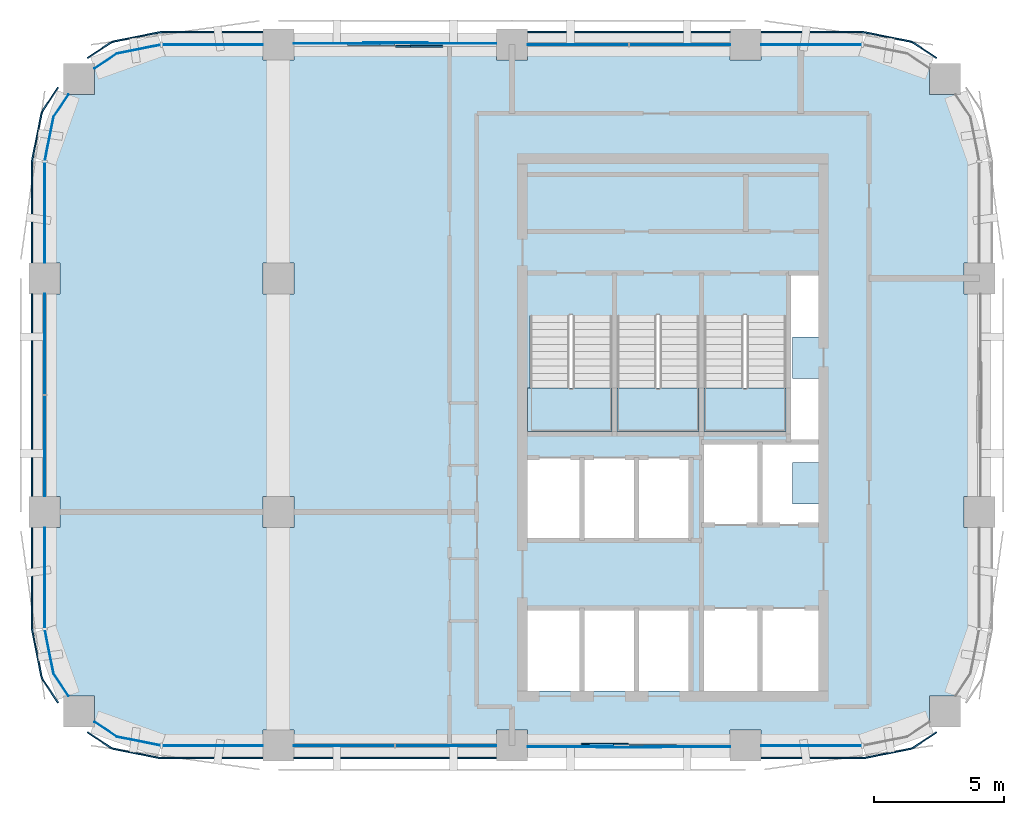
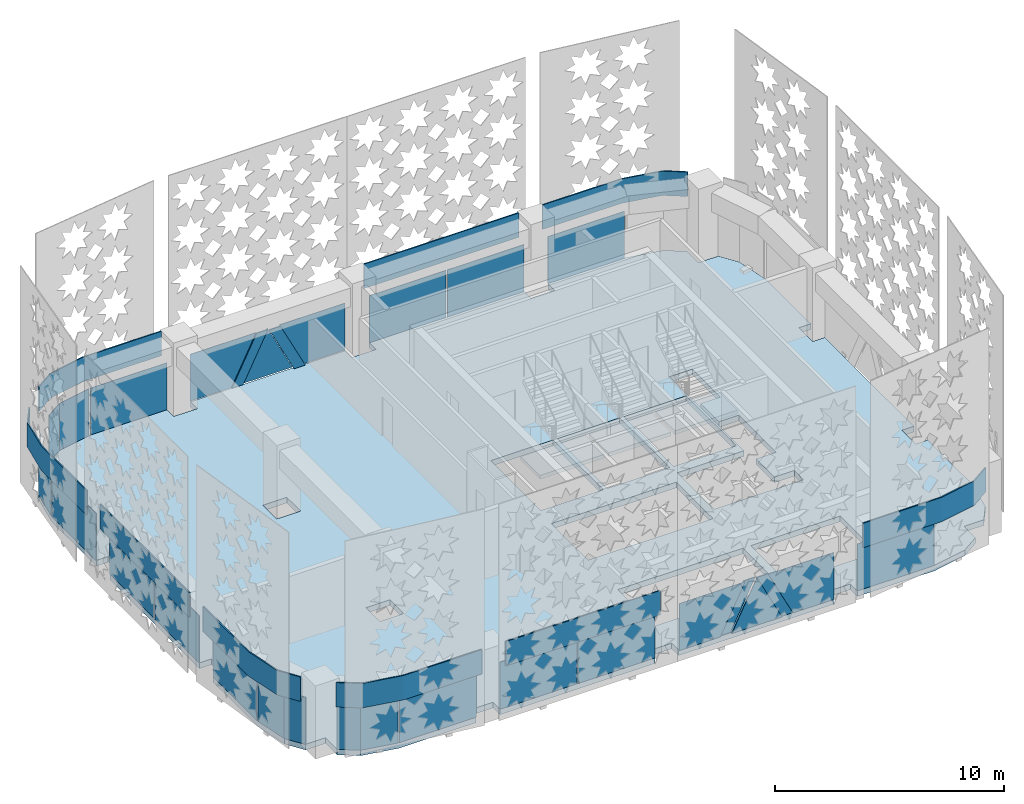
# One storey, part 5 of 14: 35 plates, 4 slabs, 14 elements without a shape of their own.
"""IFC4 building model written with IfcOpenShell, lengths in metres."""

from ifc_helpers import new_model, si_unit, direction, frame, origin, origin_2d, place, context, subcontext, project, spatial, polyline, rectangle, outline, extrude, material, layer, layer_set, type_object, element, aggregate, save


model = new_model("IFC4")

# Units and contexts
model_context = context("Model", 3, precision=1e-05, world=origin(), true_north=direction((0.0, 1.0)))
body_context = subcontext(model_context, "Body", "Model", "MODEL_VIEW")
ifc_project = project(units=[si_unit("LENGTHUNIT", "METRE"), si_unit("AREAUNIT", "SQUARE_METRE"), si_unit("VOLUMEUNIT", "CUBIC_METRE"), si_unit("PLANEANGLEUNIT", "RADIAN"), si_unit("MASSUNIT", "GRAM", prefix="KILO")], contexts=[model_context])

# Site, building, storey
site_placement = place(None, origin())
site = spatial("IfcSite", under=ifc_project, at=site_placement, CompositionType="ELEMENT")
building_placement = place(site_placement, origin())
building = spatial("IfcBuilding", under=site, at=building_placement, Name="Tessera Arch", CompositionType="ELEMENT")
storey_placement = place(building_placement, frame((0.0, 0.0, 269.60009765625)))
storey = spatial("IfcBuildingStorey", under=building, at=storey_placement, Name="L65", CompositionType="ELEMENT", Elevation=269.60009765625)

# Curtain wall, plates
ifc_material_1 = material(Name="CW1 curtain wall")
curtain_wall_type_1 = type_object("IfcCurtainWallType", Name="CW1 curtain wall", PredefinedType="NOTDEFINED", material=ifc_material_1)
curtain_wall_1_placement = place(storey_placement, origin())
curtain_wall_1 = element("IfcCurtainWall", 1, at=curtain_wall_1_placement, inside=storey, type_object=curtain_wall_type_1, Name="CW1 curtain wall N54.18/1 L65", PredefinedType="NOTDEFINED")
ifc_material_2 = material(Name="Clear low-e glass", Category="glass")
ifc_material_3 = material(Name="Clear low-e glass", Category="glass")
ifc_layer_1 = layer(ifc_material_3, 0.028076171875)
ifc_layer_set_1 = layer_set([ifc_layer_1], Name="CW1 glass panel")
plate_type_1 = type_object("IfcPlateType", Name="CW1 glass panel", PredefinedType="CURTAIN_PANEL", material=ifc_layer_set_1)
plate_1_placement = place(storey_placement, frame((42.465087890625, 54.0, 0.0), z_axis=(0.0, 0.0, 1.0), x_axis=(-1.0, 0.0, 0.0)))
plate_1 = element("IfcPlate", 2, at=plate_1_placement, type_object=plate_type_1, material=ifc_material_2, Name="CW1 glass panel N54.18/1 1.1.1", PredefinedType="CURTAIN_PANEL", context=body_context, shape_type="SweptSolid", body=[
    extrude(rectangle(XDim=3.8701171875, YDim=0.028076171875, at=origin_2d()), origin(), (0.0, 0.0, 1.0), 2.5),
])
plate_2_placement = place(storey_placement, frame((38.534912109375, 54.0, 0.0), z_axis=(0.0, 0.0, 1.0), x_axis=(-1.0, 0.0, 0.0)))
plate_2 = element("IfcPlate", 3, at=plate_2_placement, type_object=plate_type_1, material=ifc_material_2, Name="CW1 glass panel N54.18/1 1.2.1", PredefinedType="CURTAIN_PANEL", context=body_context, shape_type="SweptSolid", body=[
    extrude(rectangle(XDim=3.8701171875, YDim=0.028076171875, at=origin_2d()), origin(), (0.0, 0.0, 1.0), 2.5),
])

curtain_wall_2_placement = place(storey_placement, origin())
curtain_wall_2 = element("IfcCurtainWall", 4, at=curtain_wall_2_placement, inside=storey, type_object=curtain_wall_type_1, Name="CW1 curtain wall W18.27/1 L65", PredefinedType="NOTDEFINED")
plate_3_placement = place(storey_placement, frame((18.0, 42.465087890625, 0.0), z_axis=(0.0, 0.0, 1.0), x_axis=(0.0, -1.0, 0.0)))
plate_3 = element("IfcPlate", 5, at=plate_3_placement, type_object=plate_type_1, material=ifc_material_2, Name="CW1 glass panel W18.27/1 1.1.1", PredefinedType="CURTAIN_PANEL", context=body_context, shape_type="SweptSolid", body=[
    extrude(rectangle(XDim=3.8701171875, YDim=0.028076171875, at=origin_2d()), origin(), (0.0, 0.0, 1.0), 2.5),
])
plate_4_placement = place(storey_placement, frame((18.0, 38.534912109375, 0.0), z_axis=(0.0, 0.0, 1.0), x_axis=(0.0, -1.0, 0.0)))
plate_4 = element("IfcPlate", 6, at=plate_4_placement, type_object=plate_type_1, material=ifc_material_2, Name="CW1 glass panel W18.27/1 1.2.1", PredefinedType="CURTAIN_PANEL", context=body_context, shape_type="SweptSolid", body=[
    extrude(rectangle(XDim=3.8701171875, YDim=0.028076171875, at=origin_2d()), origin(), (0.0, 0.0, 1.0), 2.5),
])

curtain_wall_3_placement = place(storey_placement, origin())
curtain_wall_3 = element("IfcCurtainWall", 7, at=curtain_wall_3_placement, inside=storey, type_object=curtain_wall_type_1, Name="CW1 curtain wall S27.18/1 L65", PredefinedType="NOTDEFINED")
plate_5_placement = place(storey_placement, frame((29.534912109375, 27.0, 0.0), z_axis=(0.0, 0.0, 1.0), x_axis=(1.0, 0.0, 0.0)))
plate_5 = element("IfcPlate", 8, at=plate_5_placement, type_object=plate_type_1, material=ifc_material_2, Name="CW1 glass panel S27.18/1 1.1.1", PredefinedType="CURTAIN_PANEL", context=body_context, shape_type="SweptSolid", body=[
    extrude(rectangle(XDim=3.8701171875, YDim=0.028076171875, at=origin_2d()), origin(), (0.0, 0.0, 1.0), 2.5),
])
plate_6_placement = place(storey_placement, frame((33.465087890625, 27.0, 0.0), z_axis=(0.0, 0.0, 1.0), x_axis=(1.0, 0.0, 0.0)))
plate_6 = element("IfcPlate", 9, at=plate_6_placement, type_object=plate_type_1, material=ifc_material_2, Name="CW1 glass panel S27.18/1 1.2.1", PredefinedType="CURTAIN_PANEL", context=body_context, shape_type="SweptSolid", body=[
    extrude(rectangle(XDim=3.8701171875, YDim=0.028076171875, at=origin_2d()), origin(), (0.0, 0.0, 1.0), 2.5),
])

# Plate
ifc_material_4 = material(Name="Pale anodised aluminium panel", Category="aluminium")
ifc_layer_2 = layer(ifc_material_4, 0.06005859375)
ifc_layer_set_2 = layer_set([ifc_layer_2], Name="CW1 spandrel panel")
plate_type_2 = type_object("IfcPlateType", Name="CW1 spandrel panel", PredefinedType="CURTAIN_PANEL", material=ifc_layer_set_2)
plate_7_placement = place(storey_placement, frame((40.5, 54.47998046875, 2.60009765625), z_axis=(0.0, 0.0, 1.0), x_axis=(-1.0, 0.0, 0.0)))
plate_7 = element("IfcPlate", 10, at=plate_7_placement, type_object=plate_type_2, Name="CW1 spandrel panel N54.18/1", PredefinedType="CURTAIN_PANEL", context=body_context, shape_type="SweptSolid", body=[
    extrude(rectangle(XDim=7.800048828125, YDim=0.06005859375, at=origin_2d()), origin(), (0.0, 0.0, 1.0), 1.300048828125),
])

aggregate(curtain_wall_1, [plate_1, plate_2, plate_7])

plate_8_placement = place(storey_placement, frame((17.52001953125, 40.5, 2.60009765625), z_axis=(0.0, 0.0, 1.0), x_axis=(0.0, -1.0, 0.0)))
plate_8 = element("IfcPlate", 11, at=plate_8_placement, type_object=plate_type_2, Name="CW1 spandrel panel W18.27/1", PredefinedType="CURTAIN_PANEL", context=body_context, shape_type="SweptSolid", body=[
    extrude(rectangle(XDim=7.800048828125, YDim=0.06005859375, at=origin_2d()), origin(), (0.0, 0.0, 1.0), 1.300048828125),
])

aggregate(curtain_wall_2, [plate_3, plate_4, plate_8])

plate_9_placement = place(storey_placement, frame((31.5, 26.52001953125, 2.60009765625), z_axis=(0.0, 0.0, 1.0), x_axis=(1.0, 0.0, 0.0)))
plate_9 = element("IfcPlate", 12, at=plate_9_placement, type_object=plate_type_2, Name="CW1 spandrel panel S27.18/1", PredefinedType="CURTAIN_PANEL", context=body_context, shape_type="SweptSolid", body=[
    extrude(rectangle(XDim=7.800048828125, YDim=0.06005859375, at=origin_2d()), origin(), (0.0, 0.0, 1.0), 1.300048828125),
])

aggregate(curtain_wall_3, [plate_5, plate_6, plate_9])

# Curtain wall, plate
ifc_material_5 = material(Name="CW2 curtain wall")
curtain_wall_type_2 = type_object("IfcCurtainWallType", Name="CW2 curtain wall", PredefinedType="NOTDEFINED", material=ifc_material_5)
curtain_wall_4_placement = place(storey_placement, origin())
curtain_wall_4 = element("IfcCurtainWall", 13, at=curtain_wall_4_placement, inside=storey, type_object=curtain_wall_type_2, Name="CW2 curtain wall N54.18/0 L65", PredefinedType="NOTDEFINED")
ifc_material_6 = material(Name="Clear low-e glass", Category="glass")
ifc_layer_3 = layer(ifc_material_6, 0.028076171875)
ifc_layer_set_3 = layer_set([ifc_layer_3], Name="CW2 glass panel")
plate_type_3 = type_object("IfcPlateType", Name="CW2 glass panel", PredefinedType="CURTAIN_PANEL", material=ifc_layer_set_3)
plate_10_placement = place(storey_placement, frame((47.530029296875, 54.0, 0.0), z_axis=(0.0, 0.0, 1.0), x_axis=(-1.0, 0.0, 0.0)))
plate_10 = element("IfcPlate", 14, at=plate_10_placement, type_object=plate_type_3, material=ifc_material_2, Name="CW2 glass panel N54.18/0 1.1", PredefinedType="CURTAIN_PANEL", context=body_context, shape_type="SweptSolid", body=[
    extrude(rectangle(XDim=3.860107421875, YDim=0.028076171875, at=origin_2d()), origin(), (0.0, 0.0, 1.0), 2.5),
])

# Curtain wall, plates
curtain_wall_5_placement = place(storey_placement, origin())
curtain_wall_5 = element("IfcCurtainWall", 15, at=curtain_wall_5_placement, inside=storey, type_object=curtain_wall_type_2, Name="CW2 curtain wall N54.18/3 L65", PredefinedType="NOTDEFINED")
plate_11_placement = place(storey_placement, frame((24.469970703125, 54.0, 0.0), z_axis=(0.0, 0.0, 1.0), x_axis=(-1.0, 0.0, 0.0)))
plate_11 = element("IfcPlate", 16, at=plate_11_placement, type_object=plate_type_3, material=ifc_material_2, Name="CW2 glass panel N54.18/3 1.1", PredefinedType="CURTAIN_PANEL", context=body_context, shape_type="SweptSolid", body=[
    extrude(rectangle(XDim=3.860107421875, YDim=0.028076171875, at=origin_2d()), origin(), (0.0, 0.0, 1.0), 2.5),
])
plate_12_placement = place(storey_placement, origin())
plate_12 = element("IfcPlate", 17, at=plate_12_placement, type_object=plate_type_3, material=ifc_material_2, Name="CW2 curved glass panel N54.18/3 2.1", PredefinedType="CURTAIN_PANEL", context=body_context, shape_type="SweptSolid", body=[
    extrude(outline(polyline([(20.783447265625, 53.644287109375), (22.46337890625, 53.978515625), (22.4580078125, 54.005859375), (20.7724609375, 53.670654296875), (19.91015625, 53.094482421875), (19.92578125, 53.0712890625), (20.783447265625, 53.644287109375)])), origin(), (0.0, 0.0, 1.0), 2.5),
])

curtain_wall_6_placement = place(storey_placement, origin())
curtain_wall_6 = element("IfcCurtainWall", 18, at=curtain_wall_6_placement, inside=storey, type_object=curtain_wall_type_2, Name="CW2 curtain wall W18.27/0 L65", PredefinedType="NOTDEFINED")
plate_13_placement = place(storey_placement, frame((18.0, 47.530029296875, 0.0), z_axis=(0.0, 0.0, 1.0), x_axis=(0.0, -1.0, 0.0)))
plate_13 = element("IfcPlate", 19, at=plate_13_placement, type_object=plate_type_3, material=ifc_material_2, Name="CW2 glass panel W18.27/0 1.1", PredefinedType="CURTAIN_PANEL", context=body_context, shape_type="SweptSolid", body=[
    extrude(rectangle(XDim=3.860107421875, YDim=0.028076171875, at=origin_2d()), origin(), (0.0, 0.0, 1.0), 2.5),
])
plate_14_placement = place(storey_placement, origin())
plate_14 = element("IfcPlate", 20, at=plate_14_placement, type_object=plate_type_3, material=ifc_material_2, Name="CW2 curved glass panel W18.27/0 2.1", PredefinedType="CURTAIN_PANEL", context=body_context, shape_type="SweptSolid", body=[
    extrude(outline(polyline([(18.355712890625, 51.216552734375), (18.9287109375, 52.07421875), (18.905517578125, 52.08984375), (18.329345703125, 51.2275390625), (17.994140625, 49.5419921875), (18.021484375, 49.53662109375), (18.355712890625, 51.216552734375)])), origin(), (0.0, 0.0, 1.0), 2.5),
])

curtain_wall_7_placement = place(storey_placement, origin())
curtain_wall_7 = element("IfcCurtainWall", 21, at=curtain_wall_7_placement, inside=storey, type_object=curtain_wall_type_2, Name="CW2 curtain wall W18.27/2 L65", PredefinedType="NOTDEFINED")
plate_15_placement = place(storey_placement, frame((18.0, 33.469970703125, 0.0), z_axis=(0.0, 0.0, 1.0), x_axis=(0.0, -1.0, 0.0)))
plate_15 = element("IfcPlate", 22, at=plate_15_placement, type_object=plate_type_3, material=ifc_material_2, Name="CW2 glass panel W18.27/2 1.1", PredefinedType="CURTAIN_PANEL", context=body_context, shape_type="SweptSolid", body=[
    extrude(rectangle(XDim=3.860107421875, YDim=0.028076171875, at=origin_2d()), origin(), (0.0, 0.0, 1.0), 2.5),
])
plate_16_placement = place(storey_placement, origin())
plate_16 = element("IfcPlate", 23, at=plate_16_placement, type_object=plate_type_3, material=ifc_material_2, Name="CW2 curved glass panel W18.27/2 2.1", PredefinedType="CURTAIN_PANEL", context=body_context, shape_type="SweptSolid", body=[
    extrude(outline(polyline([(18.355712890625, 29.783447265625), (18.021484375, 31.46337890625), (17.994140625, 31.4580078125), (18.329345703125, 29.7724609375), (18.905517578125, 28.91015625), (18.9287109375, 28.92578125), (18.355712890625, 29.783447265625)])), origin(), (0.0, 0.0, 1.0), 2.5),
])

curtain_wall_8_placement = place(storey_placement, origin())
curtain_wall_8 = element("IfcCurtainWall", 24, at=curtain_wall_8_placement, inside=storey, type_object=curtain_wall_type_2, Name="CW2 curtain wall S27.18/0 L65", PredefinedType="NOTDEFINED")
plate_17_placement = place(storey_placement, frame((24.469970703125, 27.0, 0.0), z_axis=(0.0, 0.0, 1.0), x_axis=(1.0, 0.0, 0.0)))
plate_17 = element("IfcPlate", 25, at=plate_17_placement, type_object=plate_type_3, material=ifc_material_2, Name="CW2 glass panel S27.18/0 1.1", PredefinedType="CURTAIN_PANEL", context=body_context, shape_type="SweptSolid", body=[
    extrude(rectangle(XDim=3.860107421875, YDim=0.028076171875, at=origin_2d()), origin(), (0.0, 0.0, 1.0), 2.5),
])
plate_18_placement = place(storey_placement, origin())
plate_18 = element("IfcPlate", 26, at=plate_18_placement, type_object=plate_type_3, material=ifc_material_2, Name="CW2 curved glass panel S27.18/0 2.1", PredefinedType="CURTAIN_PANEL", context=body_context, shape_type="SweptSolid", body=[
    extrude(outline(polyline([(20.783447265625, 27.355712890625), (19.92578125, 27.9287109375), (19.91015625, 27.905517578125), (20.7724609375, 27.329345703125), (22.4580078125, 26.994140625), (22.46337890625, 27.021484375), (20.783447265625, 27.355712890625)])), origin(), (0.0, 0.0, 1.0), 2.5),
])

# Curtain wall, plate
curtain_wall_9_placement = place(storey_placement, origin())
curtain_wall_9 = element("IfcCurtainWall", 27, at=curtain_wall_9_placement, inside=storey, type_object=curtain_wall_type_2, Name="CW2 curtain wall S27.18/3 L65", PredefinedType="NOTDEFINED")
plate_19_placement = place(storey_placement, frame((47.530029296875, 27.0, 0.0), z_axis=(0.0, 0.0, 1.0), x_axis=(1.0, 0.0, 0.0)))
plate_19 = element("IfcPlate", 28, at=plate_19_placement, type_object=plate_type_3, material=ifc_material_2, Name="CW2 glass panel S27.18/3 1.1", PredefinedType="CURTAIN_PANEL", context=body_context, shape_type="SweptSolid", body=[
    extrude(rectangle(XDim=3.860107421875, YDim=0.028076171875, at=origin_2d()), origin(), (0.0, 0.0, 1.0), 2.5),
])

# Plate
ifc_material_7 = material(Name="Pale anodised aluminium panel", Category="aluminium")
ifc_layer_4 = layer(ifc_material_7, 0.06005859375)
ifc_layer_set_4 = layer_set([ifc_layer_4], Name="CW2 spandrel panel")
plate_type_4 = type_object("IfcPlateType", Name="CW2 spandrel panel", PredefinedType="CURTAIN_PANEL", material=ifc_layer_set_4)
plate_20_placement = place(storey_placement, frame((0.0, 0.0, 2.599853515625)))
plate_20 = element("IfcPlate", 29, at=plate_20_placement, type_object=plate_type_4, Name="CW2 spandrel panel N54.18/0", PredefinedType="CURTAIN_PANEL", context=body_context, shape_type="SweptSolid", body=[
    extrude(outline(polyline([(51.47265625, 54.03125), (52.33203125, 53.45703125), (52.365234375, 53.5068359375), (51.5048828125, 54.08203125), (51.462646484375, 54.107421875), (51.417236328125, 54.128662109375), (51.3701171875, 54.1455078125), (51.322265625, 54.157470703125), (49.598876953125, 54.500244140625), (49.550048828125, 54.507568359375), (49.500732421875, 54.510009765625), (45.60009765625, 54.510009765625), (45.60009765625, 54.449951171875), (49.499267578125, 54.449951171875), (49.544189453125, 54.44775390625), (49.588623046875, 54.441162109375), (51.30908203125, 54.09912109375), (51.352783203125, 54.088134765625), (51.394287109375, 54.0732421875), (51.434326171875, 54.054443359375), (51.47265625, 54.03125)])), origin(), (0.0, 0.0, 1.0), 1.300048828125),
])

aggregate(curtain_wall_4, [plate_10, plate_20])

plate_21_placement = place(storey_placement, frame((0.0, 0.0, 2.599853515625)))
plate_21 = element("IfcPlate", 30, at=plate_21_placement, type_object=plate_type_4, Name="CW2 spandrel panel N54.18/3", PredefinedType="CURTAIN_PANEL", context=body_context, shape_type="SweptSolid", body=[
    extrude(outline(polyline([(22.500732421875, 54.449951171875), (26.39990234375, 54.449951171875), (26.39990234375, 54.510009765625), (22.499267578125, 54.510009765625), (22.449951171875, 54.507568359375), (22.401123046875, 54.500244140625), (20.677734375, 54.157470703125), (20.6298828125, 54.1455078125), (20.582763671875, 54.128662109375), (20.537353515625, 54.107421875), (20.4951171875, 54.08203125), (19.634765625, 53.5068359375), (19.66796875, 53.45703125), (20.52734375, 54.03125), (20.565673828125, 54.054443359375), (20.605712890625, 54.0732421875), (20.647216796875, 54.088134765625), (20.69091796875, 54.09912109375), (22.411376953125, 54.441162109375), (22.455810546875, 54.44775390625), (22.500732421875, 54.449951171875)])), origin(), (0.0, 0.0, 1.0), 1.300048828125),
])

aggregate(curtain_wall_5, [plate_11, plate_12, plate_21])

plate_22_placement = place(storey_placement, frame((0.0, 0.0, 2.599853515625)))
plate_22 = element("IfcPlate", 31, at=plate_22_placement, type_object=plate_type_4, Name="CW2 spandrel panel W18.27/0", PredefinedType="CURTAIN_PANEL", context=body_context, shape_type="SweptSolid", body=[
    extrude(outline(polyline([(17.96875, 51.47265625), (18.54296875, 52.33203125), (18.4931640625, 52.365234375), (17.91796875, 51.5048828125), (17.892578125, 51.462646484375), (17.871337890625, 51.417236328125), (17.8544921875, 51.3701171875), (17.842529296875, 51.322265625), (17.499755859375, 49.598876953125), (17.492431640625, 49.550048828125), (17.489990234375, 49.500732421875), (17.489990234375, 45.60009765625), (17.550048828125, 45.60009765625), (17.550048828125, 49.499267578125), (17.55224609375, 49.544189453125), (17.558837890625, 49.588623046875), (17.90087890625, 51.30908203125), (17.911865234375, 51.352783203125), (17.9267578125, 51.394287109375), (17.945556640625, 51.434326171875), (17.96875, 51.47265625)])), origin(), (0.0, 0.0, 1.0), 1.300048828125),
])

aggregate(curtain_wall_6, [plate_13, plate_14, plate_22])

plate_23_placement = place(storey_placement, frame((0.0, 0.0, 2.599853515625)))
plate_23 = element("IfcPlate", 32, at=plate_23_placement, type_object=plate_type_4, Name="CW2 spandrel panel W18.27/2", PredefinedType="CURTAIN_PANEL", context=body_context, shape_type="SweptSolid", body=[
    extrude(outline(polyline([(17.550048828125, 31.500732421875), (17.550048828125, 35.39990234375), (17.489990234375, 35.39990234375), (17.489990234375, 31.499267578125), (17.492431640625, 31.449951171875), (17.499755859375, 31.401123046875), (17.842529296875, 29.677734375), (17.8544921875, 29.6298828125), (17.871337890625, 29.582763671875), (17.892578125, 29.537353515625), (17.91796875, 29.4951171875), (18.4931640625, 28.634765625), (18.54296875, 28.66796875), (17.96875, 29.52734375), (17.945556640625, 29.565673828125), (17.9267578125, 29.605712890625), (17.911865234375, 29.647216796875), (17.90087890625, 29.69091796875), (17.558837890625, 31.411376953125), (17.55224609375, 31.455810546875), (17.550048828125, 31.500732421875)])), origin(), (0.0, 0.0, 1.0), 1.300048828125),
])

aggregate(curtain_wall_7, [plate_15, plate_16, plate_23])

plate_24_placement = place(storey_placement, frame((0.0, 0.0, 2.599853515625)))
plate_24 = element("IfcPlate", 33, at=plate_24_placement, type_object=plate_type_4, Name="CW2 spandrel panel S27.18/0", PredefinedType="CURTAIN_PANEL", context=body_context, shape_type="SweptSolid", body=[
    extrude(outline(polyline([(20.52734375, 26.96875), (19.66796875, 27.54296875), (19.634765625, 27.4931640625), (20.4951171875, 26.91796875), (20.537353515625, 26.892578125), (20.582763671875, 26.871337890625), (20.6298828125, 26.8544921875), (20.677734375, 26.842529296875), (22.401123046875, 26.499755859375), (22.449951171875, 26.492431640625), (22.499267578125, 26.489990234375), (26.39990234375, 26.489990234375), (26.39990234375, 26.550048828125), (22.500732421875, 26.550048828125), (22.455810546875, 26.55224609375), (22.411376953125, 26.558837890625), (20.69091796875, 26.90087890625), (20.647216796875, 26.911865234375), (20.605712890625, 26.9267578125), (20.565673828125, 26.945556640625), (20.52734375, 26.96875)])), origin(), (0.0, 0.0, 1.0), 1.300048828125),
])

aggregate(curtain_wall_8, [plate_17, plate_18, plate_24])

plate_25_placement = place(storey_placement, frame((0.0, 0.0, 2.599853515625)))
plate_25 = element("IfcPlate", 34, at=plate_25_placement, type_object=plate_type_4, Name="CW2 spandrel panel S27.18/3", PredefinedType="CURTAIN_PANEL", context=body_context, shape_type="SweptSolid", body=[
    extrude(outline(polyline([(49.499267578125, 26.550048828125), (45.60009765625, 26.550048828125), (45.60009765625, 26.489990234375), (49.500732421875, 26.489990234375), (49.550048828125, 26.492431640625), (49.598876953125, 26.499755859375), (51.322265625, 26.842529296875), (51.3701171875, 26.8544921875), (51.417236328125, 26.871337890625), (51.462646484375, 26.892578125), (51.5048828125, 26.91796875), (52.365234375, 27.4931640625), (52.33203125, 27.54296875), (51.47265625, 26.96875), (51.434326171875, 26.945556640625), (51.394287109375, 26.9267578125), (51.352783203125, 26.911865234375), (51.30908203125, 26.90087890625), (49.588623046875, 26.558837890625), (49.544189453125, 26.55224609375), (49.499267578125, 26.550048828125)])), origin(), (0.0, 0.0, 1.0), 1.300048828125),
])

aggregate(curtain_wall_9, [plate_19, plate_25])

# Curtain wall, plates
ifc_material_8 = material(Name="CW3 curtain wall")
curtain_wall_type_3 = type_object("IfcCurtainWallType", Name="CW3 curtain wall", PredefinedType="NOTDEFINED", material=ifc_material_8)
curtain_wall_10_placement = place(storey_placement, origin())
curtain_wall_10 = element("IfcCurtainWall", 35, at=curtain_wall_10_placement, inside=storey, type_object=curtain_wall_type_3, Name="CW3 curtain wall N54.18/2 L65", PredefinedType="NOTDEFINED")
ifc_material_9 = material(Name="Pale anodised aluminium panel", Category="aluminium")
ifc_layer_5 = layer(ifc_material_9, 0.06005859375)
ifc_layer_set_5 = layer_set([ifc_layer_5], Name="CW3 diagonal panel")
plate_type_5 = type_object("IfcPlateType", Name="CW3 diagonal panel", PredefinedType="CURTAIN_PANEL", material=ifc_layer_set_5)
plate_26_placement = place(storey_placement, frame((30.917724609375, 54.030029296875, 2.5), z_axis=(0.0, 1.0, 0.0), x_axis=(1.0, 0.0, 0.0)))
plate_26 = element("IfcPlate", 36, at=plate_26_placement, type_object=plate_type_5, Name="CW3 diagonal panel N54.18/2 1", PredefinedType="CURTAIN_PANEL", context=body_context, shape_type="SweptSolid", body=[
    extrude(outline(polyline([(0.0, 0.0), (0.564453125, 0.0), (-0.685546875, 2.5), (-1.25, 2.5), (0.0, 0.0)])), origin(), (0.0, 0.0, -1.0), 0.06005859375),
])
plate_27_placement = place(storey_placement, frame((31.517822265625, 53.969970703125, 2.5), z_axis=(0.0, 1.0, 0.0), x_axis=(1.0, 0.0, 0.0)))
plate_27 = element("IfcPlate", 37, at=plate_27_placement, type_object=plate_type_5, Name="CW3 diagonal panel N54.18/2 2", PredefinedType="CURTAIN_PANEL", context=body_context, shape_type="SweptSolid", body=[
    extrude(outline(polyline([(0.0, 0.0), (0.564453125, 0.0), (1.814453125, 2.5), (1.25, 2.5), (0.0, 0.0)])), origin(), (0.0, 0.0, -1.0), 0.06005859375),
])

curtain_wall_11_placement = place(storey_placement, origin())
curtain_wall_11 = element("IfcCurtainWall", 38, at=curtain_wall_11_placement, inside=storey, type_object=curtain_wall_type_3, Name="CW3 curtain wall S27.18/2 L65", PredefinedType="NOTDEFINED")
plate_28_placement = place(storey_placement, frame((41.082275390625, 26.969970703125, 2.5), z_axis=(0.0, -1.0, 0.0), x_axis=(-1.0, 0.0, 0.0)))
plate_28 = element("IfcPlate", 39, at=plate_28_placement, type_object=plate_type_5, Name="CW3 diagonal panel S27.18/2 1", PredefinedType="CURTAIN_PANEL", context=body_context, shape_type="SweptSolid", body=[
    extrude(outline(polyline([(0.0, 0.0), (0.564453125, 0.0), (-0.685546875, 2.5), (-1.25, 2.5), (0.0, 0.0)])), origin(), (0.0, 0.0, -1.0), 0.06005859375),
])
plate_29_placement = place(storey_placement, frame((40.482177734375, 27.030029296875, 2.5), z_axis=(0.0, -1.0, 0.0), x_axis=(-1.0, 0.0, 0.0)))
plate_29 = element("IfcPlate", 40, at=plate_29_placement, type_object=plate_type_5, Name="CW3 diagonal panel S27.18/2 2", PredefinedType="CURTAIN_PANEL", context=body_context, shape_type="SweptSolid", body=[
    extrude(outline(polyline([(0.0, 0.0), (0.564453125, 0.0), (1.814453125, 2.5), (1.25, 2.5), (0.0, 0.0)])), origin(), (0.0, 0.0, -1.0), 0.06005859375),
])

# Plate
ifc_material_10 = material(Name="Clear low-e glass", Category="glass")
ifc_layer_6 = layer(ifc_material_10, 0.028076171875)
ifc_layer_set_6 = layer_set([ifc_layer_6], Name="CW3 glass panel")
plate_type_6 = type_object("IfcPlateType", Name="CW3 glass panel", PredefinedType="CURTAIN_PANEL", material=ifc_layer_set_6)
plate_30_placement = place(storey_placement, frame((35.39990234375, 54.05810546875, 0.0), z_axis=(0.0, 1.0, 0.0), x_axis=(-1.0, 0.0, 0.0)))
plate_30 = element("IfcPlate", 41, at=plate_30_placement, type_object=plate_type_6, material=ifc_material_2, Name="CW3 triangulated glass panel N54.18/2 1", PredefinedType="CURTAIN_PANEL", context=body_context, shape_type="SweptSolid", body=[
    extrude(outline(polyline([(0.0, 0.0), (2.067626953125, 0.0), (3.317626953125, 2.5), (0.0, 2.5), (0.0, 0.0)])), origin(), (0.0, 0.0, -1.0), 0.028076171875),
])

plate_31_placement = place(storey_placement, frame((31.482177734375, 54.0859375, 2.5), z_axis=(0.0, 1.0, 0.0), x_axis=(1.0, 0.0, 0.0)))
plate_31 = element("IfcPlate", 42, at=plate_31_placement, type_object=plate_type_6, material=ifc_material_2, Name="CW3 triangulated glass panel N54.18/2 2", PredefinedType="CURTAIN_PANEL", context=body_context, shape_type="SweptSolid", body=[
    extrude(outline(polyline([(0.0, 0.0), (0.03564453125, 0.0), (1.28564453125, 2.5), (-1.25, 2.5), (0.0, 0.0)])), origin(), (0.0, 0.0, -1.0), 0.028076171875),
])

plate_32_placement = place(storey_placement, frame((27.60009765625, 54.05810546875, 2.5), z_axis=(0.0, 1.0, 0.0), x_axis=(1.0, 0.0, 0.0)))
plate_32 = element("IfcPlate", 43, at=plate_32_placement, type_object=plate_type_6, material=ifc_material_2, Name="CW3 triangulated glass panel N54.18/2 3", PredefinedType="CURTAIN_PANEL", context=body_context, shape_type="SweptSolid", body=[
    extrude(outline(polyline([(0.0, 0.0), (3.317626953125, 0.0), (2.067626953125, 2.5), (0.0, 2.5), (0.0, 0.0)])), origin(), (0.0, 0.0, -1.0), 0.028076171875),
])

aggregate(curtain_wall_10, [plate_30, plate_31, plate_32, plate_26, plate_27])

plate_33_placement = place(storey_placement, frame((36.60009765625, 26.94189453125, 0.0), z_axis=(0.0, -1.0, 0.0), x_axis=(1.0, 0.0, 0.0)))
plate_33 = element("IfcPlate", 44, at=plate_33_placement, type_object=plate_type_6, material=ifc_material_2, Name="CW3 triangulated glass panel S27.18/2 1", PredefinedType="CURTAIN_PANEL", context=body_context, shape_type="SweptSolid", body=[
    extrude(outline(polyline([(0.0, 0.0), (2.067626953125, 0.0), (3.317626953125, 2.5), (0.0, 2.5), (0.0, 0.0)])), origin(), (0.0, 0.0, -1.0), 0.028076171875),
])

plate_34_placement = place(storey_placement, frame((40.517822265625, 26.9140625, 2.5), z_axis=(0.0, -1.0, 0.0), x_axis=(-1.0, 0.0, 0.0)))
plate_34 = element("IfcPlate", 45, at=plate_34_placement, type_object=plate_type_6, material=ifc_material_2, Name="CW3 triangulated glass panel S27.18/2 2", PredefinedType="CURTAIN_PANEL", context=body_context, shape_type="SweptSolid", body=[
    extrude(outline(polyline([(0.0, 0.0), (0.03564453125, 0.0), (1.28564453125, 2.5), (-1.25, 2.5), (0.0, 0.0)])), origin(), (0.0, 0.0, -1.0), 0.028076171875),
])

plate_35_placement = place(storey_placement, frame((44.39990234375, 26.94189453125, 2.5), z_axis=(0.0, -1.0, 0.0), x_axis=(-1.0, 0.0, 0.0)))
plate_35 = element("IfcPlate", 46, at=plate_35_placement, type_object=plate_type_6, material=ifc_material_2, Name="CW3 triangulated glass panel S27.18/2 3", PredefinedType="CURTAIN_PANEL", context=body_context, shape_type="SweptSolid", body=[
    extrude(outline(polyline([(0.0, 0.0), (3.317626953125, 0.0), (2.067626953125, 2.5), (0.0, 2.5), (0.0, 0.0)])), origin(), (0.0, 0.0, -1.0), 0.028076171875),
])

aggregate(curtain_wall_11, [plate_33, plate_34, plate_35, plate_28, plate_29])

# Slab
ifc_material_11 = material(Name="Concrete C40/50", Category="concrete")
ifc_layer_7 = layer(ifc_material_11, 0.300048828125)
ifc_layer_set_7 = layer_set([ifc_layer_7], Name="Floor slab 300 Concrete C40/50")
slab_type_1 = type_object("IfcSlabType", Name="Floor slab 300 Concrete C40/50", PredefinedType="FLOOR", material=ifc_layer_set_7)
slab_1_placement = place(storey_placement, frame((0.0, 0.0, -0.300048828125)))
element("IfcSlab", 47, at=slab_1_placement, inside=storey, type_object=slab_type_1, Name="Floor slab L65 1", PredefinedType="FLOOR", context=body_context, shape_type="SweptSolid", body=[
    extrude(outline(polyline([(54.0, 31.5), (53.657470703125, 29.77783203125), (53.0830078125, 28.91796875), (52.08203125, 28.91796875), (52.08203125, 27.9169921875), (51.22216796875, 27.342529296875), (49.5, 27.0), (45.60009765625, 27.0), (45.60009765625, 27.60009765625), (44.39990234375, 27.60009765625), (44.39990234375, 27.0), (36.60009765625, 27.0), (36.60009765625, 27.60009765625), (35.39990234375, 27.60009765625), (35.39990234375, 27.0), (27.60009765625, 27.0), (27.60009765625, 27.60009765625), (26.39990234375, 27.60009765625), (26.39990234375, 27.0), (22.5, 27.0), (20.77783203125, 27.342529296875), (19.91796875, 27.9169921875), (19.91796875, 28.91796875), (18.9169921875, 28.91796875), (18.342529296875, 29.77783203125), (18.0, 31.5), (18.0, 35.39990234375), (18.60009765625, 35.39990234375), (18.60009765625, 36.60009765625), (18.0, 36.60009765625), (18.0, 44.39990234375), (18.60009765625, 44.39990234375), (18.60009765625, 45.60009765625), (18.0, 45.60009765625), (18.0, 49.5), (18.342529296875, 51.22216796875), (18.9169921875, 52.08203125), (19.91796875, 52.08203125), (19.91796875, 53.0830078125), (20.77783203125, 53.657470703125), (22.5, 54.0), (26.39990234375, 54.0), (26.39990234375, 53.39990234375), (27.60009765625, 53.39990234375), (27.60009765625, 54.0), (35.39990234375, 54.0), (35.39990234375, 53.39990234375), (36.60009765625, 53.39990234375), (36.60009765625, 54.0), (44.39990234375, 54.0), (44.39990234375, 53.39990234375), (45.60009765625, 53.39990234375), (45.60009765625, 54.0), (49.5, 54.0), (51.22216796875, 53.657470703125), (52.08203125, 53.0830078125), (52.08203125, 52.08203125), (53.0830078125, 52.08203125), (53.657470703125, 51.22216796875), (54.0, 49.5), (54.0, 45.60009765625), (53.39990234375, 45.60009765625), (53.39990234375, 44.39990234375), (54.0, 44.39990234375), (54.0, 36.60009765625), (53.39990234375, 36.60009765625), (53.39990234375, 35.39990234375), (54.0, 35.39990234375), (54.0, 31.5)]), holes=[polyline([(40.800048828125, 29.10009765625), (42.89990234375, 29.10009765625), (42.89990234375, 32.300048828125), (40.800048828125, 32.300048828125), (38.699951171875, 32.300048828125), (36.60009765625, 32.300048828125), (36.60009765625, 29.10009765625), (38.699951171875, 29.10009765625), (40.800048828125, 29.10009765625)]), polyline([(27.60009765625, 35.39990234375), (27.60009765625, 36.60009765625), (26.39990234375, 36.60009765625), (26.39990234375, 35.39990234375), (27.60009765625, 35.39990234375)]), polyline([(40.800048828125, 34.89990234375), (42.89990234375, 34.89990234375), (42.89990234375, 38.10009765625), (40.800048828125, 38.10009765625), (38.699951171875, 38.10009765625), (36.60009765625, 38.10009765625), (36.60009765625, 34.89990234375), (38.699951171875, 34.89990234375), (40.800048828125, 34.89990234375)]), polyline([(38.219970703125, 43.580078125), (38.219970703125, 43.570068359375), (36.699951171875, 43.570068359375), (36.699951171875, 39.199951171875), (39.85009765625, 39.199951171875), (39.85009765625, 43.570068359375), (38.330078125, 43.570068359375), (38.330078125, 43.580078125), (38.219970703125, 43.580078125)]), polyline([(27.60009765625, 44.39990234375), (27.60009765625, 45.60009765625), (26.39990234375, 45.60009765625), (26.39990234375, 44.39990234375), (27.60009765625, 44.39990234375)]), polyline([(47.800048828125, 32.300048828125), (45.550048828125, 32.300048828125), (43.300048828125, 32.300048828125), (43.300048828125, 29.10009765625), (45.550048828125, 29.10009765625), (47.800048828125, 29.10009765625), (47.800048828125, 32.300048828125)]), polyline([(46.64990234375, 38.699951171875), (45.550048828125, 38.699951171875), (43.300048828125, 38.699951171875), (43.300048828125, 35.5), (45.550048828125, 35.5), (47.800048828125, 35.5), (47.800048828125, 36.300048828125), (46.800048828125, 36.300048828125), (46.800048828125, 37.89990234375), (47.800048828125, 37.89990234375), (47.800048828125, 38.699951171875), (47.800048828125, 41.14990234375), (46.800048828125, 41.14990234375), (46.800048828125, 42.75), (47.800048828125, 42.75), (47.800048828125, 45.199951171875), (46.64990234375, 45.199951171875), (46.64990234375, 38.699951171875)]), polyline([(41.570068359375, 43.580078125), (41.570068359375, 43.570068359375), (40.050048828125, 43.570068359375), (40.050048828125, 39.199951171875), (43.199951171875, 39.199951171875), (43.199951171875, 43.570068359375), (41.679931640625, 43.570068359375), (41.679931640625, 43.580078125), (41.570068359375, 43.580078125)]), polyline([(44.919921875, 43.580078125), (44.919921875, 43.570068359375), (43.39990234375, 43.570068359375), (43.39990234375, 39.199951171875), (46.550048828125, 39.199951171875), (46.550048828125, 43.570068359375), (45.030029296875, 43.570068359375), (45.030029296875, 43.580078125), (44.919921875, 43.580078125)])]), origin(), (0.0, 0.0, 1.0), 0.300048828125),
])

# Stair, slab
ifc_material_12 = material(Name="Concrete C40/50", Category="concrete")
stair_type = type_object("IfcStairType", Name="Dogleg stair 1520", PredefinedType="HALF_TURN_STAIR", material=ifc_material_12)
stair_1_placement = place(storey_placement, origin())
stair_1 = element("IfcStair", 48, at=stair_1_placement, inside=storey, type_object=stair_type, Name="L65 S1a", PredefinedType="HALF_TURN_STAIR")
ifc_material_13 = material(Name="Concrete C40/50", Category="concrete")
ifc_layer_8 = layer(ifc_material_13, 0.300048828125)
ifc_layer_set_8 = layer_set([ifc_layer_8], Name="Stair landing 300")
slab_type_2 = type_object("IfcSlabType", Name="Stair landing 300", PredefinedType="LANDING", material=ifc_layer_set_8)
slab_2_placement = place(storey_placement, frame((0.0, 0.0, 1.75)))
slab_2 = element("IfcSlab", 49, at=slab_2_placement, type_object=slab_type_2, Name="S1a landing 1", PredefinedType="LANDING", context=body_context, shape_type="SweptSolid", body=[
    extrude(outline(polyline([(36.60009765625, 40.780029296875), (36.60009765625, 39.10009765625), (39.85009765625, 39.10009765625), (39.85009765625, 40.780029296875), (36.60009765625, 40.780029296875)])), origin(), (0.0, 0.0, 1.0), 0.199951171875),
])
aggregate(stair_1, [slab_2])

stair_2_placement = place(storey_placement, origin())
stair_2 = element("IfcStair", 50, at=stair_2_placement, inside=storey, type_object=stair_type, Name="L65 S1b", PredefinedType="HALF_TURN_STAIR")
slab_3_placement = place(storey_placement, frame((0.0, 0.0, 1.75)))
slab_3 = element("IfcSlab", 51, at=slab_3_placement, type_object=slab_type_2, Name="S1b landing 1", PredefinedType="LANDING", context=body_context, shape_type="SweptSolid", body=[
    extrude(outline(polyline([(40.050048828125, 40.780029296875), (40.050048828125, 39.10009765625), (43.199951171875, 39.10009765625), (43.199951171875, 40.780029296875), (40.050048828125, 40.780029296875)])), origin(), (0.0, 0.0, 1.0), 0.199951171875),
])
aggregate(stair_2, [slab_3])

stair_3_placement = place(storey_placement, origin())
stair_3 = element("IfcStair", 52, at=stair_3_placement, inside=storey, type_object=stair_type, Name="L65 S1c", PredefinedType="HALF_TURN_STAIR")
slab_4_placement = place(storey_placement, frame((0.0, 0.0, 1.75)))
slab_4 = element("IfcSlab", 53, at=slab_4_placement, type_object=slab_type_2, Name="S1c landing 1", PredefinedType="LANDING", context=body_context, shape_type="SweptSolid", body=[
    extrude(outline(polyline([(43.39990234375, 40.780029296875), (43.39990234375, 39.10009765625), (46.550048828125, 39.10009765625), (46.550048828125, 40.780029296875), (43.39990234375, 40.780029296875)])), origin(), (0.0, 0.0, 1.0), 0.199951171875),
])
aggregate(stair_3, [slab_4])

save(model, "model.ifc")
